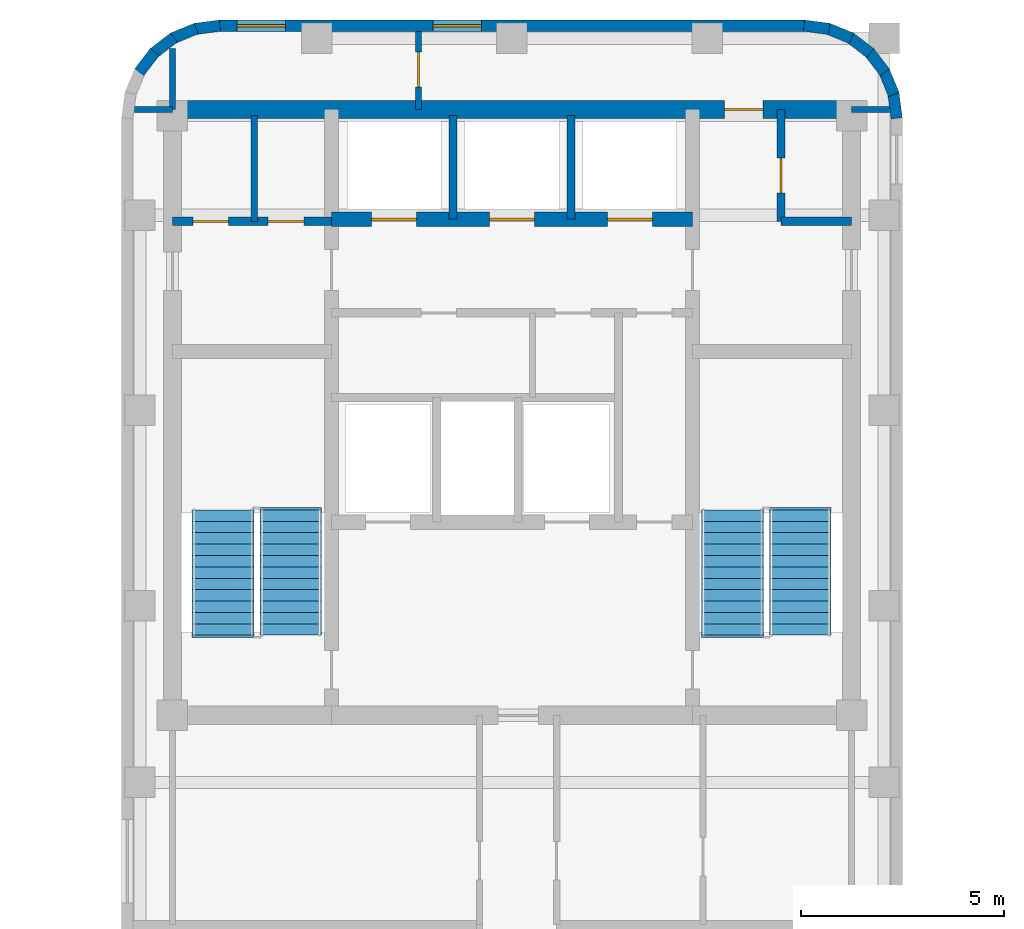
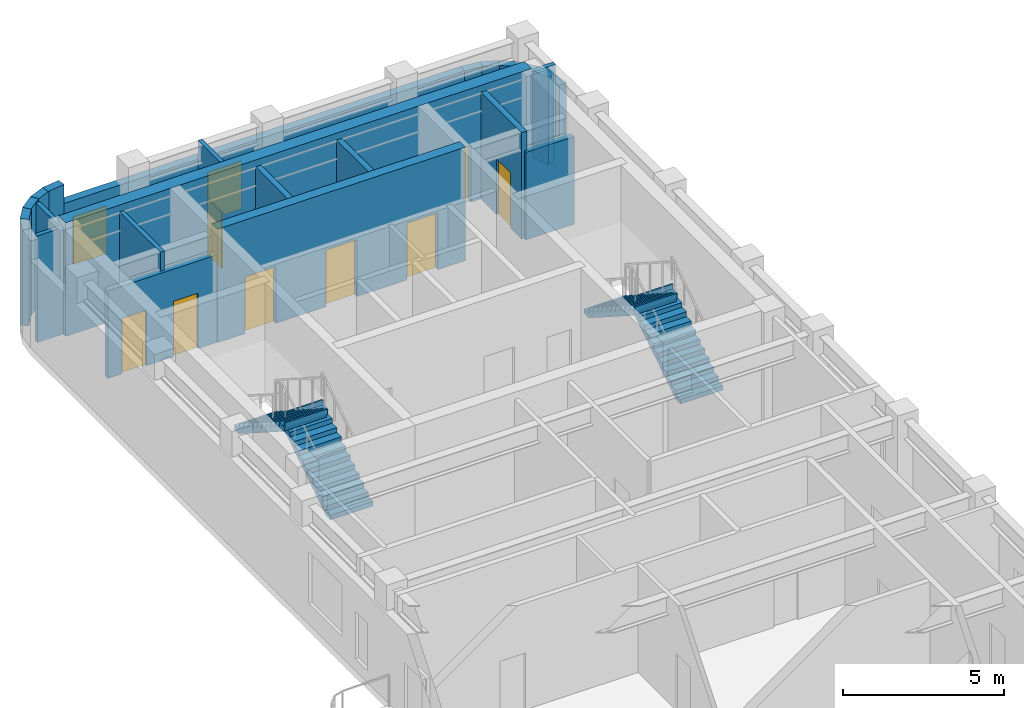
# One storey, part 4 of 5: 23 walls, 8 doors, 4 stair flights, 2 windows, 10 openings, 2 elements without a shape of their own.
"""IFC4 building model written with IfcOpenShell, lengths in metres."""

from ifc_helpers import new_model, si_unit, direction, frame, frame_2d, origin, place, context, subcontext, project, spatial, polyline, rectangle, outline, extrude, material, layer, layer_set, type_object, element, fill, aggregate, save


model = new_model("IFC4")

# Units and contexts
model_context = context("Model", 3, precision=1e-05, world=origin(), true_north=direction((0.0, 1.0)))
body_context = subcontext(model_context, "Body", "Model", "MODEL_VIEW")
ifc_project = project(units=[si_unit("LENGTHUNIT", "METRE"), si_unit("AREAUNIT", "SQUARE_METRE"), si_unit("VOLUMEUNIT", "CUBIC_METRE"), si_unit("PLANEANGLEUNIT", "RADIAN"), si_unit("MASSUNIT", "GRAM", prefix="KILO")], contexts=[model_context])

# Site, building, storey
site_placement = place(None, origin())
site = spatial("IfcSite", under=ifc_project, at=site_placement, CompositionType="ELEMENT")
building_placement = place(site_placement, origin())
building = spatial("IfcBuilding", under=site, at=building_placement, Name="Orvandelia Arch Residences", CompositionType="ELEMENT")
storey_placement = place(building_placement, frame((0.0, 0.0, 282.800048828125)))
storey = spatial("IfcBuildingStorey", under=building, at=storey_placement, Name="L73", CompositionType="ELEMENT", Elevation=282.800048828125)

# Wall, openings, doors
ifc_material_1 = material(Name="Concrete C50/60", Category="concrete")
ifc_layer_1 = layer(ifc_material_1, 0.35009765625, Name="Concrete C50/60", Category="concrete")
ifc_layer_set_1 = layer_set([ifc_layer_1], Name="Concrete C50/60")
wall_type_1 = type_object("IfcWallType", Name="WL-CORE-350", PredefinedType="SHEAR", material=ifc_layer_set_1)
wall_1_placement = place(storey_placement, frame((9.9599609375, 43.10009765625, 0.0), z_axis=(0.0, 0.0, 1.0), x_axis=(1.0, 0.0, 0.0)))
wall_1 = element("IfcWall", 1, at=wall_1_placement, inside=storey, type_object=wall_type_1, Name="Core Shear Wall L73-HZ4", PredefinedType="SHEAR", context=body_context, shape_type="SweptSolid", body=[
    extrude(rectangle(XDim=8.880126953125, YDim=0.35009765625, at=frame_2d((4.43994140625, 0.0))), origin(), (0.0, 0.0, 1.0), 4.300048828125),
])
opening_1_placement = place(wall_1_placement, frame((0.989990234375, 0.0, 0.0)))
opening_1 = element("IfcOpeningElement", 2, at=opening_1_placement, cuts=wall_1, Name="Opening LD", PredefinedType="OPENING", context=body_context, shape_type="SweptSolid", body=[
    extrude(rectangle(XDim=1.10009765625, YDim=2.14990234375, at=frame_2d((0.550048828125, 1.074951171875))), frame((0.0, 0.18505859375, 0.0), z_axis=(0.0, -1.0, 0.0), x_axis=(1.0, 0.0, 0.0)), (0.0, 0.0, 1.0), 0.3701171875),
])
opening_2_placement = place(wall_1_placement, frame((3.889892578125, 0.0, 0.0)))
opening_2 = element("IfcOpeningElement", 3, at=opening_2_placement, cuts=wall_1, Name="Opening LD", PredefinedType="OPENING", context=body_context, shape_type="SweptSolid", body=[
    extrude(rectangle(XDim=1.10009765625, YDim=2.14990234375, at=frame_2d((0.550048828125, 1.074951171875))), frame((0.0, 0.18505859375, 0.0), z_axis=(0.0, -1.0, 0.0), x_axis=(1.0, 0.0, 0.0)), (0.0, 0.0, 1.0), 0.3701171875),
])
opening_3_placement = place(wall_1_placement, frame((6.7900390625, 0.0, 0.0)))
opening_3 = element("IfcOpeningElement", 4, at=opening_3_placement, cuts=wall_1, Name="Opening LD", PredefinedType="OPENING", context=body_context, shape_type="SweptSolid", body=[
    extrude(rectangle(XDim=1.10009765625, YDim=2.14990234375, at=frame_2d((0.550048828125, 1.074951171875))), frame((0.0, 0.18505859375, 0.0), z_axis=(0.0, -1.0, 0.0), x_axis=(1.0, 0.0, 0.0)), (0.0, 0.0, 1.0), 0.3701171875),
])
ifc_material_2 = material(Name="Brushed Stainless Steel Sliding Lift Door", Category="steel")
door_type_1 = type_object("IfcDoorType", Name="DR-LIFT-1100", OperationType="NOTDEFINED", PredefinedType="DOOR", material=ifc_material_2)
door_1_placement = place(opening_1_placement, origin())
door_1 = element("IfcDoor", 5, at=door_1_placement, inside=storey, type_object=door_type_1, Name="Lift Landing Door LD-PH1-L73", OperationType="SLIDING_TO_LEFT", OverallHeight=2.14990234375, OverallWidth=1.10009765625, PredefinedType="DOOR", context=body_context, shape_type="SweptSolid", body=[
    extrude(rectangle(XDim=1.10009765625, YDim=2.14990234375, at=frame_2d((0.550048828125, 1.074951171875))), frame((0.0, 0.02490234375, 0.0), z_axis=(0.0, -1.0, 0.0), x_axis=(1.0, 0.0, 0.0)), (0.0, 0.0, 1.0), 0.050048828125),
])
fill(opening_1, door_1)
door_2_placement = place(opening_2_placement, origin())
door_2 = element("IfcDoor", 6, at=door_2_placement, inside=storey, type_object=door_type_1, Name="Lift Landing Door LD-PH2-L73", OperationType="SLIDING_TO_RIGHT", OverallHeight=2.14990234375, OverallWidth=1.10009765625, PredefinedType="DOOR", context=body_context, shape_type="SweptSolid", body=[
    extrude(rectangle(XDim=1.10009765625, YDim=2.14990234375, at=frame_2d((0.550048828125, 1.074951171875))), frame((0.0, 0.02490234375, 0.0), z_axis=(0.0, -1.0, 0.0), x_axis=(1.0, 0.0, 0.0)), (0.0, 0.0, 1.0), 0.050048828125),
])
fill(opening_2, door_2)
door_3_placement = place(opening_3_placement, origin())
door_3 = element("IfcDoor", 7, at=door_3_placement, inside=storey, type_object=door_type_1, Name="Lift Landing Door LD-PH3-L73", OperationType="SLIDING_TO_LEFT", OverallHeight=2.14990234375, OverallWidth=1.10009765625, PredefinedType="DOOR", context=body_context, shape_type="SweptSolid", body=[
    extrude(rectangle(XDim=1.10009765625, YDim=2.14990234375, at=frame_2d((0.550048828125, 1.074951171875))), frame((0.0, 0.02490234375, 0.0), z_axis=(0.0, -1.0, 0.0), x_axis=(1.0, 0.0, 0.0)), (0.0, 0.0, 1.0), 0.050048828125),
])
fill(opening_3, door_3)

# Wall, opening, door
ifc_layer_2 = layer(ifc_material_1, 0.449951171875, Name="Concrete C50/60", Category="concrete")
ifc_layer_set_2 = layer_set([ifc_layer_2], Name="Concrete C50/60")
wall_type_2 = type_object("IfcWallType", Name="WL-CORE-450", PredefinedType="SHEAR", material=ifc_layer_set_2)
wall_2_placement = place(storey_placement, frame((6.050048828125, 45.800048828125, 0.0), z_axis=(0.0, 0.0, 1.0), x_axis=(1.0, 0.0, 0.0)))
wall_2 = element("IfcWall", 8, at=wall_2_placement, inside=storey, type_object=wall_type_2, Name="Core Shear Wall L73-N", PredefinedType="SHEAR", context=body_context, shape_type="SweptSolid", body=[
    extrude(rectangle(XDim=16.699951171875, YDim=0.449951171875, at=frame_2d((8.35009765625, 0.0))), origin(), (0.0, 0.0, 1.0), 4.300048828125),
])
opening_4_placement = place(wall_2_placement, frame((13.570068359375, 0.0, 0.0)))
opening_4 = element("IfcOpeningElement", 9, at=opening_4_placement, cuts=wall_2, Name="Opening D2", PredefinedType="OPENING", context=body_context, shape_type="SweptSolid", body=[
    extrude(rectangle(XDim=0.949951171875, YDim=2.14990234375, at=frame_2d((0.47509765625, 1.074951171875))), frame((0.0, 0.23486328125, 0.0), z_axis=(0.0, -1.0, 0.0), x_axis=(1.0, 0.0, 0.0)), (0.0, 0.0, 1.0), 0.469970703125),
])
ifc_material_3 = material(Name="Solid-Core Timber Interior Fire Door", Category="wood")
door_type_2 = type_object("IfcDoorType", Name="DR-APT-950", OperationType="NOTDEFINED", PredefinedType="DOOR", material=ifc_material_3)
door_4_placement = place(opening_4_placement, origin())
door_4 = element("IfcDoor", 10, at=door_4_placement, inside=storey, type_object=door_type_2, Name="North Harbour Suite Entry Door L73", OperationType="SINGLE_SWING_LEFT", OverallHeight=2.14990234375, OverallWidth=0.949951171875, PredefinedType="DOOR", context=body_context, shape_type="SweptSolid", body=[
    extrude(rectangle(XDim=0.949951171875, YDim=2.14990234375, at=frame_2d((0.47509765625, 1.074951171875))), frame((0.0, 0.02490234375, 0.0), z_axis=(0.0, -1.0, 0.0), x_axis=(1.0, 0.0, 0.0)), (0.0, 0.0, 1.0), 0.050048828125),
])
fill(opening_4, door_4)

# Walls
ifc_material_4 = material(Name="Precast concrete C40/50", Category="concrete")
ifc_layer_3 = layer(ifc_material_4, 0.280029296875, Name="Precast concrete C40/50", Category="concrete")
ifc_layer_set_3 = layer_set([ifc_layer_3], Name="Precast concrete C40/50")
wall_type_3 = type_object("IfcWallType", Name="WL-EXT-STONE-280", PredefinedType="STANDARD", material=ifc_layer_set_3)
for number, where, z_axis, x_axis, name in (
    (11, (5.232666015625, 46.71484375, 0.0), (0.0, 0.0, 1.0), (0.608693302629, 0.793405610854, 0.0), "Coral-Limestone Precast Facade Wall L73-003"),
    (12, (5.588134765625, 47.18603515625, 0.0), (0.0, 0.0, 1.0), (0.793405610854, 0.608693302629, 0.0), "Coral-Limestone Precast Facade Wall L73-004"),
):
    element("IfcWall", number, at=place(storey_placement, frame(where, z_axis=z_axis, x_axis=x_axis)), inside=storey, type_object=wall_type_3, Name=name, PredefinedType="STANDARD", context=body_context, shape_type="SweptSolid", body=[
        extrude(rectangle(XDim=0.62646484375, YDim=0.280029296875, at=frame_2d((0.313232421875, 0.0))), origin(), (0.0, 0.0, 1.0), 4.0400390625),
    ])
wall_3_placement = place(storey_placement, frame((6.0537109375, 47.54931640625, 0.0), z_axis=(0.0, 0.0, 1.0), x_axis=(0.923974080304, 0.382455093999, 0.0)))
element("IfcWall", 13, at=wall_3_placement, inside=storey, type_object=wall_type_3, Name="Coral-Limestone Precast Facade Wall L73-005", PredefinedType="STANDARD", context=body_context, shape_type="SweptSolid", body=[
    extrude(rectangle(XDim=0.626220703125, YDim=0.280029296875, at=frame_2d((0.31298828125, 0.0))), origin(), (0.0, 0.0, 1.0), 4.0400390625),
])
wall_4_placement = place(storey_placement, frame((6.59716796875, 47.779296875, 0.0), z_axis=(0.0, 0.0, 1.0), x_axis=(0.9914410257, 0.130555323746, 0.0)))
element("IfcWall", 14, at=wall_4_placement, inside=storey, type_object=wall_type_3, Name="Coral-Limestone Precast Facade Wall L73-006", PredefinedType="STANDARD", context=body_context, shape_type="SweptSolid", body=[
    extrude(rectangle(XDim=0.62646484375, YDim=0.280029296875, at=frame_2d((0.313232421875, 0.0))), origin(), (0.0, 0.0, 1.0), 4.0400390625),
])

# Wall, openings, windows
wall_5_placement = place(storey_placement, frame((7.199951171875, 47.860107421875, 0.0), z_axis=(0.0, 0.0, 1.0), x_axis=(1.0, 0.0, 0.0)))
wall_5 = element("IfcWall", 15, at=wall_5_placement, inside=storey, type_object=wall_type_3, Name="Coral-Limestone Precast Facade Wall L73-007", PredefinedType="STANDARD", context=body_context, shape_type="SweptSolid", body=[
    extrude(rectangle(XDim=14.400146484375, YDim=0.280029296875, at=frame_2d((7.2001953125, 0.0))), origin(), (0.0, 0.0, 1.0), 3.320068359375),
])
opening_5_placement = place(wall_5_placement, frame((0.4326171875, 0.0, 0.800048828125)))
opening_5 = element("IfcOpeningElement", 16, at=opening_5_placement, cuts=wall_5, Name="Opening W3", PredefinedType="OPENING", context=body_context, shape_type="SweptSolid", body=[
    extrude(rectangle(XDim=1.199951171875, YDim=1.800048828125, at=frame_2d((0.60009765625, 0.89990234375))), frame((0.0, 0.14990234375, 0.0), z_axis=(0.0, -1.0, 0.0), x_axis=(1.0, 0.0, 0.0)), (0.0, 0.0, 1.0), 0.300048828125),
])
opening_6_placement = place(wall_5_placement, frame((5.25244140625, 0.0, 0.800048828125)))
opening_6 = element("IfcOpeningElement", 17, at=opening_6_placement, cuts=wall_5, Name="Opening W3", PredefinedType="OPENING", context=body_context, shape_type="SweptSolid", body=[
    extrude(rectangle(XDim=1.199951171875, YDim=1.800048828125, at=frame_2d((0.60009765625, 0.89990234375))), frame((0.0, 0.14990234375, 0.0), z_axis=(0.0, -1.0, 0.0), x_axis=(1.0, 0.0, 0.0)), (0.0, 0.0, 1.0), 0.300048828125),
])
ifc_material_5 = material(Name="Tempered Low-E Insulated Glazing", Category="glass")
window_type = type_object("IfcWindowType", Name="WIN-RES-1200x1800", PartitioningType="SINGLE_PANEL", PredefinedType="WINDOW", material=ifc_material_5)
window_1_placement = place(opening_5_placement, origin())
window_1 = element("IfcWindow", 18, at=window_1_placement, inside=storey, type_object=window_type, Name="Recessed Punched Window L73-001", OverallHeight=1.800048828125, OverallWidth=1.199951171875, PartitioningType="SINGLE_PANEL", PredefinedType="WINDOW", context=body_context, shape_type="SweptSolid", body=[
    extrude(rectangle(XDim=1.199951171875, YDim=1.800048828125, at=frame_2d((0.60009765625, 0.89990234375))), frame((0.0, 0.030029296875, 0.0), z_axis=(0.0, -1.0, 0.0), x_axis=(1.0, 0.0, 0.0)), (0.0, 0.0, 1.0), 0.06005859375),
])
fill(opening_5, window_1)
window_2_placement = place(opening_6_placement, origin())
window_2 = element("IfcWindow", 19, at=window_2_placement, inside=storey, type_object=window_type, Name="Recessed Punched Window L73-002", OverallHeight=1.800048828125, OverallWidth=1.199951171875, PartitioningType="SINGLE_PANEL", PredefinedType="WINDOW", context=body_context, shape_type="SweptSolid", body=[
    extrude(rectangle(XDim=1.199951171875, YDim=1.800048828125, at=frame_2d((0.60009765625, 0.89990234375))), frame((0.0, 0.030029296875, 0.0), z_axis=(0.0, -1.0, 0.0), x_axis=(1.0, 0.0, 0.0)), (0.0, 0.0, 1.0), 0.06005859375),
])
fill(opening_6, window_2)

# Walls
for number, where, z_axis, x_axis, name in (
    (20, (21.581787109375, 47.861083984375, 0.0), (0.0, 0.0, 1.0), (0.9914410257, -0.130555323746, 0.0), "Coral-Limestone Precast Facade Wall L73-008"),
    (21, (22.16748046875, 47.788818359375, 0.0), (0.0, 0.0, 1.0), (0.924031075431, -0.382317370307, 0.0), "Coral-Limestone Precast Facade Wall L73-009"),
    (22, (22.71484375, 47.5673828125, 0.0), (0.0, 0.0, 1.0), (0.793405610854, -0.608693302629, 0.0), "Coral-Limestone Precast Facade Wall L73-010"),
    (23, (23.18603515625, 47.2119140625, 0.0), (0.0, 0.0, 1.0), (0.608693302629, -0.793405610854, 0.0), "Coral-Limestone Precast Facade Wall L73-011"),
    (24, (23.54931640625, 46.746337890625, 0.0), (0.0, 0.0, 1.0), (0.382317370307, -0.924031075431, 0.0), "Coral-Limestone Precast Facade Wall L73-012"),
    (25, (23.779296875, 46.202880859375, 0.0), (0.0, 0.0, 1.0), (0.130555323746, -0.9914410257, 0.0), "Coral-Limestone Precast Facade Wall L73-013"),
):
    element("IfcWall", number, at=place(storey_placement, frame(where, z_axis=z_axis, x_axis=x_axis)), inside=storey, type_object=wall_type_3, Name=name, PredefinedType="STANDARD", context=body_context, shape_type="SweptSolid", body=[
        extrude(rectangle(XDim=0.62646484375, YDim=0.280029296875, at=frame_2d((0.313232421875, 0.0))), origin(), (0.0, 0.0, 1.0), 3.320068359375),
    ])
ifc_material_6 = material(Name="Acoustic Gypsum Stud Partition")
ifc_layer_4 = layer(ifc_material_6, 0.14990234375, Name="Acoustic Gypsum Stud Partition")
ifc_layer_set_4 = layer_set([ifc_layer_4], Name="Acoustic Gypsum Stud Partition")
wall_type_4 = type_object("IfcWallType", Name="WL-PART-150", PredefinedType="PARTITIONING", material=ifc_layer_set_4)
wall_6_placement = place(storey_placement, frame((8.06005859375, 43.050048828125, 0.0), z_axis=(0.0, 0.0, 1.0), x_axis=(0.0, 1.0, 0.0)))
element("IfcWall", 26, at=wall_6_placement, inside=storey, type_object=wall_type_4, Name="Interior Partition Wall WL-L73-CRELC-M", PredefinedType="PARTITIONING", context=body_context, shape_type="SweptSolid", body=[
    extrude(rectangle(XDim=2.599853515625, YDim=0.14990234375, at=frame_2d((1.2998046875, 0.0))), origin(), (0.0, 0.0, 1.0), 4.0400390625),
])
wall_7_placement = place(storey_placement, frame((5.1201171875, 45.800048828125, 0.0), z_axis=(0.0, 0.0, 1.0), x_axis=(1.0, 0.0, 0.0)))
element("IfcWall", 27, at=wall_7_placement, inside=storey, type_object=wall_type_4, Name="Interior Partition Wall WL-L73-WF-N", PredefinedType="PARTITIONING", context=body_context, shape_type="SweptSolid", body=[
    extrude(rectangle(XDim=0.929931640625, YDim=0.14990234375, at=frame_2d((0.46484375, 0.0))), origin(), (0.0, 0.0, 1.0), 4.0400390625),
])
wall_8_placement = place(storey_placement, frame((6.050048828125, 45.800048828125, 0.0), z_axis=(0.0, 0.0, 1.0), x_axis=(0.0, 1.0, 0.0)))
element("IfcWall", 28, at=wall_8_placement, inside=storey, type_object=wall_type_4, Name="Interior Partition Wall WL-L73-NHI-W6", PredefinedType="PARTITIONING", context=body_context, shape_type="SweptSolid", body=[
    extrude(rectangle(XDim=1.5, YDim=0.14990234375, at=frame_2d((0.75, 0.0))), origin(), (0.0, 0.0, 1.0), 4.0400390625),
])
wall_9_placement = place(storey_placement, frame((22.75, 45.800048828125, 0.0), z_axis=(0.0, 0.0, 1.0), x_axis=(1.0, 0.0, 0.0)))
element("IfcWall", 29, at=wall_9_placement, inside=storey, type_object=wall_type_4, Name="Interior Partition Wall WL-L73-SEFLK-N", PredefinedType="PARTITIONING", context=body_context, shape_type="SweptSolid", body=[
    extrude(rectangle(XDim=0.929931640625, YDim=0.14990234375, at=frame_2d((0.46484375, 0.0))), origin(), (0.0, 0.0, 1.0), 4.0400390625),
])

# Wall, opening, door
wall_10_placement = place(storey_placement, frame((12.10009765625, 45.800048828125, 0.0), z_axis=(0.0, 0.0, 1.0), x_axis=(0.0, 1.0, 0.0)))
wall_10 = element("IfcWall", 30, at=wall_10_placement, inside=storey, type_object=wall_type_4, Name="Interior Partition Wall WL-L73-NHI-M", PredefinedType="PARTITIONING", context=body_context, shape_type="SweptSolid", body=[
    extrude(rectangle(XDim=1.919921875, YDim=0.14990234375, at=frame_2d((0.9599609375, 0.0))), origin(), (0.0, 0.0, 1.0), 4.0400390625),
])
opening_7_placement = place(wall_10_placement, frame((0.550048828125, 0.0, 0.0)))
opening_7 = element("IfcOpeningElement", 31, at=opening_7_placement, cuts=wall_10, Name="Opening D4", PredefinedType="OPENING", context=body_context, shape_type="SweptSolid", body=[
    extrude(rectangle(XDim=0.860107421875, YDim=2.10009765625, at=frame_2d((0.43017578125, 1.050048828125))), frame((0.0, 0.0849609375, 0.0), z_axis=(0.0, -1.0, 0.0), x_axis=(1.0, 0.0, 0.0)), (0.0, 0.0, 1.0), 0.169921875),
])
ifc_material_7 = material(Name="Moisture-Sealed Timber Bathroom Door", Category="wood")
door_type_3 = type_object("IfcDoorType", Name="DR-WET-900", OperationType="NOTDEFINED", PredefinedType="DOOR", material=ifc_material_7)
door_5_placement = place(opening_7_placement, origin())
door_5 = element("IfcDoor", 32, at=door_5_placement, inside=storey, type_object=door_type_3, Name="DR-L73-NHI1", OperationType="SINGLE_SWING_LEFT", OverallHeight=2.10009765625, OverallWidth=0.860107421875, PredefinedType="DOOR", context=body_context, shape_type="SweptSolid", body=[
    extrude(rectangle(XDim=0.860107421875, YDim=2.10009765625, at=frame_2d((0.43017578125, 1.050048828125))), frame((0.0, 0.02490234375, 0.0), z_axis=(0.0, -1.0, 0.0), x_axis=(1.0, 0.0, 0.0)), (0.0, 0.0, 1.0), 0.050048828125),
])
fill(opening_7, door_5)

# Wall
ifc_material_8 = material(Name="Fire-Rated Shaft Enclosure Wall")
ifc_layer_5 = layer(ifc_material_8, 0.199951171875, Name="Fire-Rated Shaft Enclosure Wall")
ifc_layer_set_5 = layer_set([ifc_layer_5], Name="Fire-Rated Shaft Enclosure Wall")
wall_type_5 = type_object("IfcWallType", Name="WL-SHAFT-200", PredefinedType="POLYGONAL", material=ifc_layer_set_5)
wall_11_placement = place(storey_placement, frame((21.02001953125, 43.050048828125, 0.0), z_axis=(0.0, 0.0, 1.0), x_axis=(1.0, 0.0, 0.0)))
element("IfcWall", 33, at=wall_11_placement, inside=storey, type_object=wall_type_5, Name="Interior Partition Wall WL-L73-HLE-N", PredefinedType="POLYGONAL", context=body_context, shape_type="SweptSolid", body=[
    extrude(rectangle(XDim=1.72998046875, YDim=0.199951171875, at=frame_2d((0.864990234375, 0.0))), origin(), (0.0, 0.0, 1.0), 3.320068359375),
])

# Wall, opening, door
wall_12_placement = place(storey_placement, frame((21.02001953125, 43.050048828125, 0.0), z_axis=(0.0, 0.0, 1.0), x_axis=(0.0, 1.0, 0.0)))
wall_12 = element("IfcWall", 34, at=wall_12_placement, inside=storey, type_object=wall_type_5, Name="Interior Partition Wall WL-L73-HLE-W21", PredefinedType="POLYGONAL", context=body_context, shape_type="SweptSolid", body=[
    extrude(rectangle(XDim=2.75, YDim=0.199951171875, at=frame_2d((1.375, 0.0))), origin(), (0.0, 0.0, 1.0), 4.0400390625),
])
opening_8_placement = place(wall_12_placement, frame((0.699951171875, 0.0, 0.0)))
opening_8 = element("IfcOpeningElement", 35, at=opening_8_placement, cuts=wall_12, Name="Opening D4", PredefinedType="OPENING", context=body_context, shape_type="SweptSolid", body=[
    extrude(rectangle(XDim=0.860107421875, YDim=2.10009765625, at=frame_2d((0.43017578125, 1.050048828125))), frame((0.0, 0.10986328125, 0.0), z_axis=(0.0, -1.0, 0.0), x_axis=(1.0, 0.0, 0.0)), (0.0, 0.0, 1.0), 0.219970703125),
])
door_6_placement = place(opening_8_placement, origin())
door_6 = element("IfcDoor", 36, at=door_6_placement, inside=storey, type_object=door_type_3, Name="DR-L73-CSB2", OperationType="SINGLE_SWING_LEFT", OverallHeight=2.10009765625, OverallWidth=0.860107421875, PredefinedType="DOOR", context=body_context, shape_type="SweptSolid", body=[
    extrude(rectangle(XDim=0.860107421875, YDim=2.10009765625, at=frame_2d((0.43017578125, 1.050048828125))), frame((0.0, 0.02490234375, 0.0), z_axis=(0.0, -1.0, 0.0), x_axis=(1.0, 0.0, 0.0)), (0.0, 0.0, 1.0), 0.050048828125),
])
fill(opening_8, door_6)

# Wall, openings, doors
wall_13_placement = place(storey_placement, frame((6.050048828125, 43.050048828125, 0.0), z_axis=(0.0, 0.0, 1.0), x_axis=(1.0, 0.0, 0.0)))
wall_13 = element("IfcWall", 37, at=wall_13_placement, inside=storey, type_object=wall_type_5, Name="Interior Partition Wall WL-L73-HLW-N", PredefinedType="POLYGONAL", context=body_context, shape_type="SweptSolid", body=[
    extrude(rectangle(XDim=3.909912109375, YDim=0.199951171875, at=frame_2d((1.955078125, 0.0))), origin(), (0.0, 0.0, 1.0), 3.320068359375),
])
opening_9_placement = place(wall_13_placement, frame((0.5, 0.0, 0.0)))
opening_9 = element("IfcOpeningElement", 38, at=opening_9_placement, cuts=wall_13, Name="Opening D5", PredefinedType="OPENING", context=body_context, shape_type="SweptSolid", body=[
    extrude(rectangle(XDim=0.8798828125, YDim=2.10009765625, at=frame_2d((0.43994140625, 1.050048828125))), frame((0.0, 0.10986328125, 0.0), z_axis=(0.0, -1.0, 0.0), x_axis=(1.0, 0.0, 0.0)), (0.0, 0.0, 1.0), 0.219970703125),
])
opening_10_placement = place(wall_13_placement, frame((2.35009765625, 0.0, 0.0)))
opening_10 = element("IfcOpeningElement", 39, at=opening_10_placement, cuts=wall_13, Name="Opening D5", PredefinedType="OPENING", context=body_context, shape_type="SweptSolid", body=[
    extrude(rectangle(XDim=0.8798828125, YDim=2.10009765625, at=frame_2d((0.43994140625, 1.050048828125))), frame((0.0, 0.10986328125, 0.0), z_axis=(0.0, -1.0, 0.0), x_axis=(1.0, 0.0, 0.0)), (0.0, 0.0, 1.0), 0.219970703125),
])
ifc_material_9 = material(Name="Painted Galvanised Steel Service Door", Category="steel")
door_type_4 = type_object("IfcDoorType", Name="DR-SRV-880", OperationType="NOTDEFINED", PredefinedType="DOOR", material=ifc_material_9)
door_7_placement = place(opening_9_placement, origin())
door_7 = element("IfcDoor", 40, at=door_7_placement, inside=storey, type_object=door_type_4, Name="DR-L73-CRELC1", OperationType="SINGLE_SWING_LEFT", OverallHeight=2.10009765625, OverallWidth=0.8798828125, PredefinedType="DOOR", context=body_context, shape_type="SweptSolid", body=[
    extrude(rectangle(XDim=0.8798828125, YDim=2.10009765625, at=frame_2d((0.43994140625, 1.050048828125))), frame((0.0, 0.02490234375, 0.0), z_axis=(0.0, -1.0, 0.0), x_axis=(1.0, 0.0, 0.0)), (0.0, 0.0, 1.0), 0.050048828125),
])
fill(opening_9, door_7)
door_8_placement = place(opening_10_placement, origin())
door_8 = element("IfcDoor", 41, at=door_8_placement, inside=storey, type_object=door_type_4, Name="DR-L73-CRELC2", OperationType="SINGLE_SWING_RIGHT", OverallHeight=2.10009765625, OverallWidth=0.8798828125, PredefinedType="DOOR", context=body_context, shape_type="SweptSolid", body=[
    extrude(rectangle(XDim=0.8798828125, YDim=2.10009765625, at=frame_2d((0.43994140625, 1.050048828125))), frame((0.0, 0.02490234375, 0.0), z_axis=(0.0, -1.0, 0.0), x_axis=(1.0, 0.0, 0.0)), (0.0, 0.0, 1.0), 0.050048828125),
])
fill(opening_10, door_8)

# Walls
for number, where, z_axis, x_axis, name in (
    (42, (12.949951171875, 43.10009765625, 0.0), (0.0, 0.0, 1.0), (0.0, 1.0, 0.0), "Interior Partition Wall WL-L73-PHD1"),
    (43, (15.85009765625, 43.10009765625, 0.0), (0.0, 0.0, 1.0), (0.0, 1.0, 0.0), "Interior Partition Wall WL-L73-PHD2"),
):
    element("IfcWall", number, at=place(storey_placement, frame(where, z_axis=z_axis, x_axis=x_axis)), inside=storey, type_object=wall_type_5, Name=name, PredefinedType="POLYGONAL", context=body_context, shape_type="SweptSolid", body=[
        extrude(rectangle(XDim=2.5498046875, YDim=0.199951171875, at=frame_2d((1.27490234375, 0.0))), origin(), (0.0, 0.0, 1.0), 4.0400390625),
    ])

# Stair, stair flights
ifc_material_10 = material(Name="Concrete C40/50", Category="concrete")
stair_type = type_object("IfcStairType", Name="STAIR-RC-DOGLEG", PredefinedType="HALF_TURN_STAIR", material=ifc_material_10)
stair_1_placement = place(storey_placement, origin())
stair_1 = element("IfcStair", 44, at=stair_1_placement, inside=storey, type_object=stair_type, Name="L73 Protected Exit Stair ST-1", PredefinedType="HALF_TURN_STAIR")
stair_flight_type = type_object("IfcStairFlightType", Name="STFLT-RC-1520", PredefinedType="STRAIGHT", material=ifc_material_10)
stair_flight_1_placement = place(storey_placement, frame((8.9599609375, 32.8701171875, 0.0), z_axis=(0.0, 0.0, 1.0), x_axis=(0.0, 1.0, 0.0)))
stair_flight_1 = element("IfcStairFlight", 45, at=stair_flight_1_placement, type_object=stair_flight_type, Name="ST-1 flight 1", NumberOfRisers=12, NumberOfTreads=11, PredefinedType="STRAIGHT", RiserHeight=0.179166667, TreadLength=0.28, context=body_context, shape_type="SweptSolid", body=[
    extrude(outline(polyline([(0.0, 0.0), (0.0, 0.17919921875), (0.280029296875, 0.17919921875), (0.280029296875, 0.3583984375), (0.56005859375, 0.3583984375), (0.56005859375, 0.53759765625), (0.840087890625, 0.53759765625), (0.840087890625, 0.716552734375), (1.1201171875, 0.716552734375), (1.1201171875, 0.895751953125), (1.39990234375, 0.895751953125), (1.39990234375, 1.074951171875), (1.679931640625, 1.074951171875), (1.679931640625, 1.254150390625), (1.9599609375, 1.254150390625), (1.9599609375, 1.433349609375), (2.239990234375, 1.433349609375), (2.239990234375, 1.612548828125), (2.52001953125, 1.612548828125), (2.52001953125, 1.791748046875), (2.800048828125, 1.791748046875), (2.800048828125, 1.970947265625), (3.080078125, 1.970947265625), (3.080078125, 2.14990234375), (3.139892578125, 2.14990234375), (3.139892578125, 1.969970703125), (3.080078125, 1.79296875), (0.278076171875, 0.0), (0.0, 0.0)])), frame((0.0, 0.760009765625, 0.0), z_axis=(0.0, -1.0, 0.0), x_axis=(1.0, 0.0, 0.0)), (0.0, 0.0, 1.0), 1.52001953125),
])
stair_flight_2_placement = place(storey_placement, frame((7.2900390625, 35.949951171875, 2.14990234375), z_axis=(0.0, 0.0, 1.0), x_axis=(0.0, -1.0, 0.0)))
stair_flight_2 = element("IfcStairFlight", 46, at=stair_flight_2_placement, type_object=stair_flight_type, Name="ST-1 flight 2", NumberOfRisers=12, NumberOfTreads=11, PredefinedType="STRAIGHT", RiserHeight=0.179166667, TreadLength=0.28, context=body_context, shape_type="SweptSolid", body=[
    extrude(outline(polyline([(0.0, 0.0), (0.0, 0.17919921875), (0.280029296875, 0.17919921875), (0.280029296875, 0.3583984375), (0.56005859375, 0.3583984375), (0.56005859375, 0.53759765625), (0.840087890625, 0.53759765625), (0.840087890625, 0.716552734375), (1.1201171875, 0.716552734375), (1.1201171875, 0.895751953125), (1.39990234375, 0.895751953125), (1.39990234375, 1.074951171875), (1.679931640625, 1.074951171875), (1.679931640625, 1.254150390625), (1.9599609375, 1.254150390625), (1.9599609375, 1.433349609375), (2.239990234375, 1.433349609375), (2.239990234375, 1.612548828125), (2.52001953125, 1.612548828125), (2.52001953125, 1.791748046875), (2.800048828125, 1.791748046875), (2.800048828125, 1.970947265625), (3.080078125, 1.970947265625), (3.080078125, 2.14990234375), (3.139892578125, 2.14990234375), (3.139892578125, 1.969970703125), (3.080078125, 1.79296875), (0.278076171875, 0.0), (0.0, 0.0)])), frame((0.0, 0.760009765625, 0.0), z_axis=(0.0, -1.0, 0.0), x_axis=(1.0, 0.0, 0.0)), (0.0, 0.0, 1.0), 1.52001953125),
])
aggregate(stair_1, [stair_flight_1, stair_flight_2])

stair_2_placement = place(storey_placement, origin())
stair_2 = element("IfcStair", 47, at=stair_2_placement, inside=storey, type_object=stair_type, Name="L73 Protected Exit Stair ST-2", PredefinedType="HALF_TURN_STAIR")
stair_flight_3_placement = place(storey_placement, frame((21.489990234375, 32.8701171875, 0.0), z_axis=(0.0, 0.0, 1.0), x_axis=(0.0, 1.0, 0.0)))
stair_flight_3 = element("IfcStairFlight", 48, at=stair_flight_3_placement, type_object=stair_flight_type, Name="ST-2 flight 1", NumberOfRisers=12, NumberOfTreads=11, PredefinedType="STRAIGHT", RiserHeight=0.179166667, TreadLength=0.28, context=body_context, shape_type="SweptSolid", body=[
    extrude(outline(polyline([(0.0, 0.0), (0.0, 0.17919921875), (0.280029296875, 0.17919921875), (0.280029296875, 0.3583984375), (0.56005859375, 0.3583984375), (0.56005859375, 0.53759765625), (0.840087890625, 0.53759765625), (0.840087890625, 0.716552734375), (1.1201171875, 0.716552734375), (1.1201171875, 0.895751953125), (1.39990234375, 0.895751953125), (1.39990234375, 1.074951171875), (1.679931640625, 1.074951171875), (1.679931640625, 1.254150390625), (1.9599609375, 1.254150390625), (1.9599609375, 1.433349609375), (2.239990234375, 1.433349609375), (2.239990234375, 1.612548828125), (2.52001953125, 1.612548828125), (2.52001953125, 1.791748046875), (2.800048828125, 1.791748046875), (2.800048828125, 1.970947265625), (3.080078125, 1.970947265625), (3.080078125, 2.14990234375), (3.139892578125, 2.14990234375), (3.139892578125, 1.969970703125), (3.080078125, 1.79296875), (0.278076171875, 0.0), (0.0, 0.0)])), frame((0.0, 0.760009765625, 0.0), z_axis=(0.0, -1.0, 0.0), x_axis=(1.0, 0.0, 0.0)), (0.0, 0.0, 1.0), 1.52001953125),
])
stair_flight_4_placement = place(storey_placement, frame((19.820068359375, 35.949951171875, 2.14990234375), z_axis=(0.0, 0.0, 1.0), x_axis=(0.0, -1.0, 0.0)))
stair_flight_4 = element("IfcStairFlight", 49, at=stair_flight_4_placement, type_object=stair_flight_type, Name="ST-2 flight 2", NumberOfRisers=12, NumberOfTreads=11, PredefinedType="STRAIGHT", RiserHeight=0.179166667, TreadLength=0.28, context=body_context, shape_type="SweptSolid", body=[
    extrude(outline(polyline([(0.0, 0.0), (0.0, 0.17919921875), (0.280029296875, 0.17919921875), (0.280029296875, 0.3583984375), (0.56005859375, 0.3583984375), (0.56005859375, 0.53759765625), (0.840087890625, 0.53759765625), (0.840087890625, 0.716552734375), (1.1201171875, 0.716552734375), (1.1201171875, 0.895751953125), (1.39990234375, 0.895751953125), (1.39990234375, 1.074951171875), (1.679931640625, 1.074951171875), (1.679931640625, 1.254150390625), (1.9599609375, 1.254150390625), (1.9599609375, 1.433349609375), (2.239990234375, 1.433349609375), (2.239990234375, 1.612548828125), (2.52001953125, 1.612548828125), (2.52001953125, 1.791748046875), (2.800048828125, 1.791748046875), (2.800048828125, 1.970947265625), (3.080078125, 1.970947265625), (3.080078125, 2.14990234375), (3.139892578125, 2.14990234375), (3.139892578125, 1.969970703125), (3.080078125, 1.79296875), (0.278076171875, 0.0), (0.0, 0.0)])), frame((0.0, 0.760009765625, 0.0), z_axis=(0.0, -1.0, 0.0), x_axis=(1.0, 0.0, 0.0)), (0.0, 0.0, 1.0), 1.52001953125),
])
aggregate(stair_2, [stair_flight_3, stair_flight_4])

save(model, "model.ifc")
